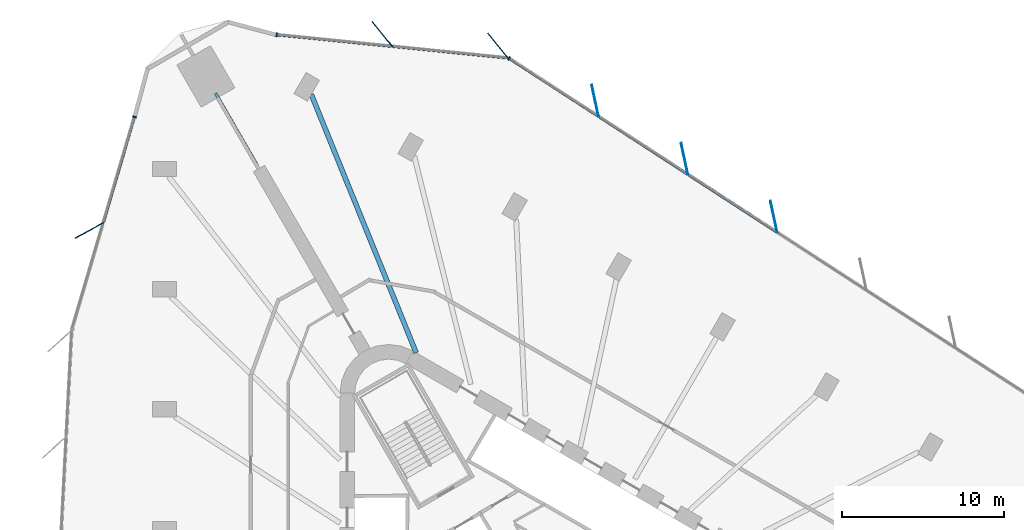
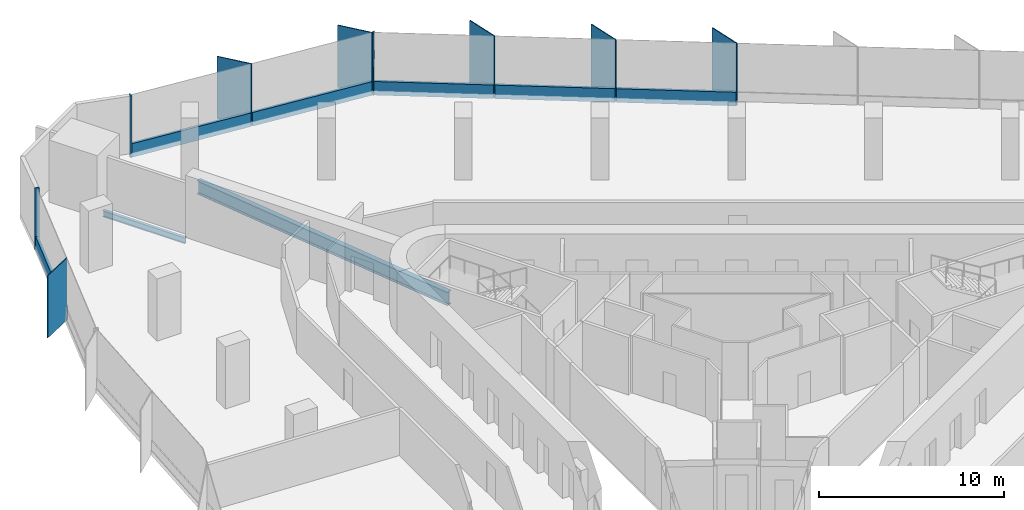
# One storey, part 7 of 14: 15 members, 2 beams, 3 elements without a shape of their own.
"""IFC4 building model written with IfcOpenShell, lengths in metres."""

import ifcopenshell
import ifcopenshell.guid

model = None  # the IFC model being written
_history = None  # IfcOwnerHistory: only IFC2X3 demands one
_inside = {}  # id of a spatial element -> (the spatial element, [elements in it])
_under = {}  # id of a project, library or spatial element -> (it, [spatial elements below it])
_declared = {}  # id of a project -> (the project, [libraries it declares])
_typed = {}  # id of a type object -> (the type object, [elements of that type])
_made_of = {}  # id of a material, layer set ... -> (it, [elements and type objects made of it])


def new_model(schema):
    """Start an empty IFC model of exactly this schema.

    Asked for "IFC4X3", IfcOpenShell would pick the latest addendum, in which some entities
    have other attributes; the version numbers below select the first issue.
    IFC2X3 requires an IfcOwnerHistory on every rooted entity: one is made here for all.
    """
    global model, _history
    if schema == "IFC4X3":
        model = ifcopenshell.file(schema_version=(4, 3, 0, 0))
    else:
        model = ifcopenshell.file(schema=schema)
    _inside.clear()
    _under.clear()
    _declared.clear()
    _typed.clear()
    _made_of.clear()
    _history = None
    if model.schema == "IFC2X3":
        org = make("IfcOrganization", Name="unknown")
        user = make(
            "IfcPersonAndOrganization",
            ThePerson=make("IfcPerson", FamilyName="unknown"),
            TheOrganization=org,
        )
        app = make(
            "IfcApplication",
            ApplicationDeveloper=org,
            Version="unknown",
            ApplicationFullName="unknown",
            ApplicationIdentifier="unknown",
        )
        _history = make(
            "IfcOwnerHistory",
            OwningUser=user,
            OwningApplication=app,
            ChangeAction="ADDED",
            CreationDate=0,
        )
    return model


def make(cls, **values):
    """One entity of the class cls with the attributes given. An attribute that is None is left unset."""
    return model.create_entity(
        cls, **{name: value for name, value in values.items() if value is not None}
    )


def rooted(cls, **values):
    """An entity with a GlobalId (a new one), such as an element, a storey or a relation."""
    return make(cls, GlobalId=ifcopenshell.guid.new(), OwnerHistory=_history, **values)


def si_unit(unit_type, name, prefix=None):
    """IfcSIUnit, for example si_unit("LENGTHUNIT", "METRE", prefix="MILLI")."""
    return make("IfcSIUnit", UnitType=unit_type, Prefix=prefix, Name=name)


def assignment(units):
    """IfcUnitAssignment: the units of a project."""
    return None if units is None else make("IfcUnitAssignment", Units=units)


def point(xyz):
    """IfcCartesianPoint."""
    return None if xyz is None else make("IfcCartesianPoint", Coordinates=xyz)


def direction(xyz):
    """IfcDirection."""
    return None if xyz is None else make("IfcDirection", DirectionRatios=xyz)


def frame(location, z_axis=None, x_axis=None):
    """IfcAxis2Placement3D, a coordinate frame: its origin and axes. An axis left out is left unset."""
    return make(
        "IfcAxis2Placement3D",
        Location=point(location),
        Axis=direction(z_axis),
        RefDirection=direction(x_axis),
    )


def frame_2d(location, x_axis=None):
    """IfcAxis2Placement2D, a coordinate frame in the plane: its origin and x axis."""
    return make(
        "IfcAxis2Placement2D", Location=point(location), RefDirection=direction(x_axis)
    )


def origin():
    """The frame at (0, 0, 0) with its axes left unset."""
    return frame((0.0, 0.0, 0.0))


def origin_2d():
    """The frame at (0, 0) in the plane with its x axis left unset."""
    return frame_2d((0.0, 0.0))


def place(relative_to, where):
    """IfcLocalPlacement: puts the frame where relative to a parent placement (None: the world)."""
    return make(
        "IfcLocalPlacement", PlacementRelTo=relative_to, RelativePlacement=where
    )


def context(
    kind, dimensions, precision=None, world=None, true_north=None, identifier=None
):
    """IfcGeometricRepresentationContext, for example the 3D "Model" context."""
    return make(
        "IfcGeometricRepresentationContext",
        ContextIdentifier=identifier,
        ContextType=kind,
        CoordinateSpaceDimension=dimensions,
        Precision=precision,
        WorldCoordinateSystem=world,
        TrueNorth=true_north,
    )


def subcontext(parent, identifier, kind, view, scale=None):
    """IfcGeometricRepresentationSubContext, for example "Body" below "Model"."""
    return make(
        "IfcGeometricRepresentationSubContext",
        ContextIdentifier=identifier,
        ContextType=kind,
        ParentContext=parent,
        TargetScale=scale,
        TargetView=view,
    )


def project(units=None, contexts=None):
    """IfcProject with its units and contexts."""
    return rooted(
        "IfcProject",
        Name="project",
        RepresentationContexts=contexts,
        UnitsInContext=assignment(units),
    )


def spatial(cls, under=None, at=None, **own):
    """A site, building, storey or space (cls), placed at a placement, below another one or the project."""
    s = rooted(cls, ObjectPlacement=at, **own)
    if under is not None:
        _under.setdefault(under.id(), (under, []))[1].append(s)
    return s


def profile(cls, at=None, kind="AREA", **sizes):
    """A parametric profile (cls). Its sizes go by their IFC names, for example OverallWidth=200.0."""
    return make(cls, ProfileType=kind, Position=at, **sizes)


def rectangle(**sizes):
    """IfcRectangleProfileDef."""
    return profile("IfcRectangleProfileDef", **sizes)


def i_section(**sizes):
    """IfcIShapeProfileDef."""
    return profile("IfcIShapeProfileDef", **sizes)


def extrude(swept, where, along, depth):
    """IfcExtrudedAreaSolid: the profile swept, set in the frame where, extruded along a direction by depth."""
    return make(
        "IfcExtrudedAreaSolid",
        SweptArea=swept,
        Position=where,
        ExtrudedDirection=direction(along),
        Depth=depth,
    )


def shape(context_of_items, identifier, shape_type, items):
    """IfcShapeRepresentation: the items that make up one representation, for example the "Body"."""
    return make(
        "IfcShapeRepresentation",
        ContextOfItems=context_of_items,
        RepresentationIdentifier=identifier,
        RepresentationType=shape_type,
        Items=items,
    )


def material(Name=None, Category=None):
    """IfcMaterial."""
    return make("IfcMaterial", Name=Name, Category=Category)


def material_profile(
    of_material, cross_section, Name=None, Category=None, Priority=None
):
    """IfcMaterialProfile: a cross section and its material."""
    return make(
        "IfcMaterialProfile",
        Name=Name,
        Material=of_material,
        Profile=cross_section,
        Priority=Priority,
        Category=Category,
    )


def profile_set(profiles, Name=None, composite=None):
    """IfcMaterialProfileSet."""
    return make(
        "IfcMaterialProfileSet",
        Name=Name,
        MaterialProfiles=profiles,
        CompositeProfile=composite,
    )


def made_of(thing, what):
    """Note that an element or type object is made of a material, layer set ...; save() writes the relation."""
    if what is not None:
        _made_of.setdefault(what.id(), (what, []))[1].append(thing)
    return thing


def type_object(cls, material=None, **own):
    """A type object (cls), such as IfcWallType, which elements share."""
    return made_of(rooted(cls, **own), material)


def element(
    cls,
    number,
    at=None,
    inside=None,
    cuts=None,
    type_object=None,
    material=None,
    context=None,
    identifier="Body",
    shape_type=None,
    held_by="IfcProductDefinitionShape",
    body=None,
    shapes=None,
    **own,
):
    """One element of the class cls, such as IfcWall. Its Tag is "e" and its number.

    at: its placement. inside: the storey or other place that contains it. cuts: it is an
    opening in that element (IfcRelVoidsElement). A single representation is given by context,
    identifier, shape_type and body (its items); several are given by shapes. held_by: the class
    of the entity that holds the representations. save() writes the other relations.
    """
    e = rooted(cls, Tag="e%d" % number, ObjectPlacement=at, **own)
    if body is not None:
        shapes = [shape(context, identifier, shape_type, body)]
    if shapes is not None:
        e.Representation = make(held_by, Representations=shapes)
    if inside is not None:
        _inside.setdefault(inside.id(), (inside, []))[1].append(e)
    if cuts is not None:
        rooted(
            "IfcRelVoidsElement", RelatingBuildingElement=cuts, RelatedOpeningElement=e
        )
    if type_object is not None:
        _typed.setdefault(type_object.id(), (type_object, []))[1].append(e)
    return made_of(e, material)


def aggregate(whole, parts):
    """IfcRelAggregates: a whole, such as a stair, and the parts it consists of."""
    return rooted("IfcRelAggregates", RelatingObject=whole, RelatedObjects=parts)


def save(model, path):
    """Write the relations noted so far, then the file.

    IfcRelAggregates (storeys below a building ...), IfcRelContainedInSpatialStructure (elements
    in a storey), IfcRelDefinesByType, IfcRelAssociatesMaterial and IfcRelDeclares: one each for
    every whole, place, type object, material and project.
    """
    for whole, parts in _under.values():
        aggregate(whole, parts)
    for where, things in _inside.values():
        rooted(
            "IfcRelContainedInSpatialStructure",
            RelatedElements=things,
            RelatingStructure=where,
        )
    for kind, things in _typed.values():
        rooted("IfcRelDefinesByType", RelatedObjects=things, RelatingType=kind)
    for what, things in _made_of.values():
        rooted("IfcRelAssociatesMaterial", RelatedObjects=things, RelatingMaterial=what)
    for by, libraries in _declared.values():
        rooted("IfcRelDeclares", RelatingContext=by, RelatedDefinitions=libraries)
    model.write(path)


model = new_model("IFC4")

# Units and contexts
model_context = context("Model", 3, precision=1e-05, world=origin(), true_north=direction((0.0, 1.0)))
body_context = subcontext(model_context, "Body", "Model", "MODEL_VIEW")
ifc_project = project(units=[si_unit("LENGTHUNIT", "METRE"), si_unit("AREAUNIT", "SQUARE_METRE"), si_unit("VOLUMEUNIT", "CUBIC_METRE"), si_unit("PLANEANGLEUNIT", "RADIAN"), si_unit("MASSUNIT", "GRAM", prefix="KILO")], contexts=[model_context])

# Site, building, storey
site_placement = place(None, origin())
site = spatial("IfcSite", under=ifc_project, at=site_placement, CompositionType="ELEMENT")
building_placement = place(site_placement, origin())
building = spatial("IfcBuilding", under=site, at=building_placement, Name="Tanit Gate Tower", CompositionType="ELEMENT")
storey_placement = place(building_placement, frame((0.0, 0.0, 107.0)))
storey = spatial("IfcBuildingStorey", under=building, at=storey_placement, Name="L22", CompositionType="ELEMENT", Elevation=107.0)

# Curtain wall, members
ifc_material_1 = material(Name="Aluminium bronze anodised and glass", Category="aluminium")
curtain_wall_type = type_object("IfcCurtainWallType", Name="Curtain wall typical low", PredefinedType="NOTDEFINED", material=ifc_material_1)
curtain_wall_1_placement = place(storey_placement, origin())
curtain_wall_1 = element("IfcCurtainWall", 1, at=curtain_wall_1_placement, inside=storey, type_object=curtain_wall_type, Name="Curtain wall L22 NE2", PredefinedType="NOTDEFINED")
ifc_material_2 = material(Name="Aluminium bronze anodised", Category="aluminium")
ifc_material_profile_1 = material_profile(ifc_material_2, rectangle(XDim=2.0, YDim=0.055908203125, at=origin_2d()), Name="56x2000 bronze fin mullion")
ifc_profile_set_1 = profile_set([ifc_material_profile_1], Name="Aluminium bronze anodised")
member_type_1 = type_object("IfcMemberType", Name="FIN MULLION 56x2000 bronze", PredefinedType="MULLION", material=ifc_profile_set_1)
member_1_placement = place(storey_placement, frame((14.614990234375, 26.619873046875, -0.300048828125), z_axis=(0.0, 0.0, 1.0), x_axis=(0.208237849046, -0.978078216824, 0.0)))
member_1 = element("IfcMember", 2, at=member_1_placement, type_object=member_type_1, Name="Fin mullion L22 NE2.4", PredefinedType="MULLION", context=body_context, shape_type="SweptSolid", body=[
    extrude(rectangle(XDim=2.0, YDim=0.055908203125, at=origin_2d()), origin(), (0.0, 0.0, 1.0), 4.10009765625),
])
member_2_placement = place(storey_placement, frame((9.114013671875, 30.189453125, -0.300048828125), z_axis=(0.0, 0.0, 1.0), x_axis=(0.208237849046, -0.978078216824, 0.0)))
member_2 = element("IfcMember", 3, at=member_2_placement, type_object=member_type_1, Name="Fin mullion L22 NE2.5", PredefinedType="MULLION", context=body_context, shape_type="SweptSolid", body=[
    extrude(rectangle(XDim=2.0, YDim=0.055908203125, at=origin_2d()), origin(), (0.0, 0.0, 1.0), 4.10009765625),
])
member_3_placement = place(storey_placement, frame((3.613037109375, 33.75927734375, -0.300048828125), z_axis=(0.0, 0.0, 1.0), x_axis=(0.208237849046, -0.978078216824, 0.0)))
member_3 = element("IfcMember", 4, at=member_3_placement, type_object=member_type_1, Name="Fin mullion L22 NE2.6", PredefinedType="MULLION", context=body_context, shape_type="SweptSolid", body=[
    extrude(rectangle(XDim=2.0, YDim=0.055908203125, at=origin_2d()), origin(), (0.0, 0.0, 1.0), 4.10009765625),
])

curtain_wall_2_placement = place(storey_placement, origin())
curtain_wall_2 = element("IfcCurtainWall", 5, at=curtain_wall_2_placement, inside=storey, type_object=curtain_wall_type, Name="Curtain wall L22 NE3", PredefinedType="NOTDEFINED")
member_4_placement = place(storey_placement, frame((-2.376220703125, 37.155517578125, -0.300048828125), z_axis=(0.0, 0.0, 1.0), x_axis=(0.632883352429, -0.774247158353, 0.0)))
member_4 = element("IfcMember", 6, at=member_4_placement, type_object=member_type_1, Name="Fin mullion L22 NE3.1", PredefinedType="MULLION", context=body_context, shape_type="SweptSolid", body=[
    extrude(rectangle(XDim=2.0, YDim=0.055908203125, at=origin_2d()), origin(), (0.0, 0.0, 1.0), 4.10009765625),
])
member_5_placement = place(storey_placement, frame((-9.49658203125, 37.870849609375, -0.300048828125), z_axis=(0.0, 0.0, 1.0), x_axis=(0.632883352429, -0.774247158353, 0.0)))
member_5 = element("IfcMember", 7, at=member_5_placement, type_object=member_type_1, Name="Fin mullion L22 NE3.2", PredefinedType="MULLION", context=body_context, shape_type="SweptSolid", body=[
    extrude(rectangle(XDim=2.0, YDim=0.055908203125, at=origin_2d()), origin(), (0.0, 0.0, 1.0), 4.10009765625),
])

# Curtain wall, member
curtain_wall_3_placement = place(storey_placement, origin())
curtain_wall_3 = element("IfcCurtainWall", 8, at=curtain_wall_3_placement, inside=storey, type_object=curtain_wall_type, Name="Curtain wall L22 W1", PredefinedType="NOTDEFINED")
member_6_placement = place(storey_placement, frame((-27.53466796875, 25.783203125, -0.300048828125), z_axis=(0.0, 0.0, 1.0), x_axis=(0.878074365831, 0.478524197999, 0.0)))
member_6 = element("IfcMember", 9, at=member_6_placement, type_object=member_type_1, Name="Fin mullion L22 W1.2", PredefinedType="MULLION", context=body_context, shape_type="SweptSolid", body=[
    extrude(rectangle(XDim=2.0, YDim=0.055908203125, at=origin_2d()), origin(), (0.0, 0.0, 1.0), 4.10009765625),
])

# Member
ifc_material_3 = material(Name="Aluminium bronze anodised", Category="aluminium")
ifc_material_profile_2 = material_profile(ifc_material_3, rectangle(XDim=0.239990234375, YDim=0.080078125, at=origin_2d()), Name="80x240 bronze mullion")
ifc_profile_set_2 = profile_set([ifc_material_profile_2], Name="Aluminium bronze anodised")
member_type_2 = type_object("IfcMemberType", Name="Mullion 80x240 typical low", PredefinedType="MULLION", material=ifc_profile_set_2)
member_7_placement = place(storey_placement, frame((-1.684326171875, 36.373046875, -0.300048828125), z_axis=(0.0, 0.0, 1.0), x_axis=(-0.544359344487, -0.838852134807, 0.0)))
member_7 = element("IfcMember", 10, at=member_7_placement, type_object=member_type_2, Name="Mullion L22 NE2.7", PredefinedType="MULLION", context=body_context, shape_type="SweptSolid", body=[
    extrude(rectangle(XDim=0.239990234375, YDim=0.080078125, at=origin_2d()), origin(), (0.0, 0.0, 1.0), 4.10009765625),
])

member_8_placement = place(storey_placement, frame((-15.998291015625, 37.82958984375, -0.300048828125), z_axis=(0.0, 0.0, 1.0), x_axis=(-0.099959305783, -0.994991526189, 0.0)))
member_8 = element("IfcMember", 11, at=member_8_placement, type_object=member_type_2, Name="Mullion L22 NE3.3", PredefinedType="MULLION", context=body_context, shape_type="SweptSolid", body=[
    extrude(rectangle(XDim=0.239990234375, YDim=0.080078125, at=origin_2d()), origin(), (0.0, 0.0, 1.0), 4.10009765625),
])

member_9_placement = place(storey_placement, frame((-24.7548828125, 32.77587890625, -0.300048828125), z_axis=(0.0, 0.0, 1.0), x_axis=(0.959260043832, -0.282524633098, 0.0)))
member_9 = element("IfcMember", 12, at=member_9_placement, type_object=member_type_2, Name="Mullion L22 W1.1", PredefinedType="MULLION", context=body_context, shape_type="SweptSolid", body=[
    extrude(rectangle(XDim=0.239990234375, YDim=0.080078125, at=origin_2d()), origin(), (0.0, 0.0, 1.0), 4.10009765625),
])

# Beams
ifc_material_4 = material(Name="Steel S355", Category="steel")
ifc_material_profile_3 = material_profile(ifc_material_4, i_section(OverallWidth=0.300048828125, OverallDepth=0.889892578125, WebThickness=0.01611328125, FlangeThickness=0.030029296875, FilletRadius=0.030029296875, at=origin_2d()), Name="HEA 900")
ifc_profile_set_3 = profile_set([ifc_material_profile_3], Name="Steel S355")
beam_type_1 = type_object("IfcBeamType", Name="RADIAL GIRDER HEA 900 S355", PredefinedType="BEAM", material=ifc_profile_set_3)
beam_1_placement = place(storey_placement, frame((-13.869384765625, 34.1591796875, -0.7451171875), z_axis=(0.376193939904, -0.926540943283, 0.0), x_axis=(0.926540943283, 0.376193939904, 0.0)))
element("IfcBeam", 13, at=beam_1_placement, inside=storey, type_object=beam_type_1, Name="RADIAL GIRDER", PredefinedType="BEAM", context=body_context, shape_type="SweptSolid", body=[
    extrude(i_section(OverallWidth=0.300048828125, OverallDepth=0.889892578125, WebThickness=0.01611328125, FlangeThickness=0.030029296875, FilletRadius=0.030029296875, at=origin_2d()), origin(), (0.0, 0.0, 1.0), 17.167236328125),
])
ifc_material_5 = material(Name="Steel S355", Category="steel")
ifc_material_profile_4 = material_profile(ifc_material_5, i_section(OverallWidth=0.179931640625, OverallDepth=0.39990234375, WebThickness=0.008544921875, FlangeThickness=0.013427734375, FilletRadius=0.02099609375, at=origin_2d()), Name="IPE 400")
ifc_profile_set_4 = profile_set([ifc_material_profile_4], Name="Steel S355")
beam_type_2 = type_object("IfcBeamType", Name="RADIAL GIRDER IPE 400 S355", PredefinedType="BEAM", material=ifc_profile_set_4)
beam_2_placement = place(storey_placement, frame((-19.760498046875, 34.22607421875, -0.5), z_axis=(0.499998470576, -0.866026286796, 0.0), x_axis=(0.866026286796, 0.499998470576, 0.0)))
element("IfcBeam", 14, at=beam_2_placement, inside=storey, type_object=beam_type_2, Name="RADIAL GIRDER", PredefinedType="BEAM", context=body_context, shape_type="SweptSolid", body=[
    extrude(i_section(OverallWidth=0.179931640625, OverallDepth=0.39990234375, WebThickness=0.008544921875, FlangeThickness=0.013427734375, FilletRadius=0.02099609375, at=origin_2d()), origin(), (0.0, 0.0, 1.0), 5.1298828125),
])

# Member
ifc_material_6 = material(Name="Aluminium bronze anodised", Category="aluminium")
ifc_material_profile_5 = material_profile(ifc_material_6, rectangle(XDim=0.159912109375, YDim=0.89990234375, at=origin_2d()), Name="160x900 bronze transom")
ifc_profile_set_5 = profile_set([ifc_material_profile_5], Name="Aluminium bronze anodised")
member_type_3 = type_object("IfcMemberType", Name="Transom 160x900 typical low", PredefinedType="USERDEFINED", material=ifc_profile_set_5)
member_10_placement = place(storey_placement, frame((14.784912109375, 25.685546875, 0.14990234375), z_axis=(-0.838840352017, 0.544377501214, 0.0), x_axis=(-0.544377501214, -0.838840352017, 0.0)))
member_10 = element("IfcMember", 15, at=member_10_placement, type_object=member_type_3, Name="Transom L22 NE2.4", ObjectType="TRANSOM", PredefinedType="USERDEFINED", context=body_context, shape_type="SweptSolid", body=[
    extrude(rectangle(XDim=0.159912109375, YDim=0.89990234375, at=origin_2d()), origin(), (0.0, 0.0, 1.0), 6.477783203125),
])

member_11_placement = place(storey_placement, frame((9.283935546875, 29.25537109375, 0.14990234375), z_axis=(-0.838857562398, 0.544350980533, 0.0), x_axis=(-0.544350980533, -0.838857562398, 0.0)))
member_11 = element("IfcMember", 16, at=member_11_placement, type_object=member_type_3, Name="Transom L22 NE2.5", ObjectType="TRANSOM", PredefinedType="USERDEFINED", context=body_context, shape_type="SweptSolid", body=[
    extrude(rectangle(XDim=0.159912109375, YDim=0.89990234375, at=origin_2d()), origin(), (0.0, 0.0, 1.0), 6.477783203125),
])

member_12_placement = place(storey_placement, frame((3.782958984375, 32.8251953125, 0.14990234375), z_axis=(-0.838857562398, 0.544350980533, 0.0), x_axis=(-0.544350980533, -0.838857562398, 0.0)))
member_12 = element("IfcMember", 17, at=member_12_placement, type_object=member_type_3, Name="Transom L22 NE2.6", ObjectType="TRANSOM", PredefinedType="USERDEFINED", context=body_context, shape_type="SweptSolid", body=[
    extrude(rectangle(XDim=0.159912109375, YDim=0.89990234375, at=origin_2d()), origin(), (0.0, 0.0, 1.0), 6.477783203125),
])

aggregate(curtain_wall_1, [member_1, member_2, member_3, member_7, member_10, member_11, member_12])

member_13_placement = place(storey_placement, frame((-1.797607421875, 36.40283203125, 0.14990234375), z_axis=(-0.994992339953, 0.099951205272, 0.0), x_axis=(-0.099951205272, -0.994992339953, 0.0)))
member_13 = element("IfcMember", 18, at=member_13_placement, type_object=member_type_3, Name="Transom L22 NE3.1", ObjectType="TRANSOM", PredefinedType="USERDEFINED", context=body_context, shape_type="SweptSolid", body=[
    extrude(rectangle(XDim=0.159912109375, YDim=0.89990234375, at=origin_2d()), origin(), (0.0, 0.0, 1.0), 7.076171875),
])

member_14_placement = place(storey_placement, frame((-8.91796875, 37.1181640625, 0.14990234375), z_axis=(-0.994991995255, 0.099954636599, 0.0), x_axis=(-0.099954636599, -0.994991995255, 0.0)))
member_14 = element("IfcMember", 19, at=member_14_placement, type_object=member_type_3, Name="Transom L22 NE3.2", ObjectType="TRANSOM", PredefinedType="USERDEFINED", context=body_context, shape_type="SweptSolid", body=[
    extrude(rectangle(XDim=0.159912109375, YDim=0.89990234375, at=origin_2d()), origin(), (0.0, 0.0, 1.0), 7.075927734375),
])

aggregate(curtain_wall_2, [member_4, member_5, member_8, member_13, member_14])

member_15_placement = place(storey_placement, frame((-24.76611328125, 32.737548828125, 0.14990234375), z_axis=(-0.282526140656, -0.95925959982, 0.0), x_axis=(0.95925959982, -0.282526140656, 0.0)))
member_15 = element("IfcMember", 20, at=member_15_placement, type_object=member_type_3, Name="Transom L22 W1.1", ObjectType="TRANSOM", PredefinedType="USERDEFINED", context=body_context, shape_type="SweptSolid", body=[
    extrude(rectangle(XDim=0.159912109375, YDim=0.89990234375, at=origin_2d()), origin(), (0.0, 0.0, 1.0), 6.72216796875),
])

aggregate(curtain_wall_3, [member_9, member_6, member_15])

save(model, "model.ifc")
